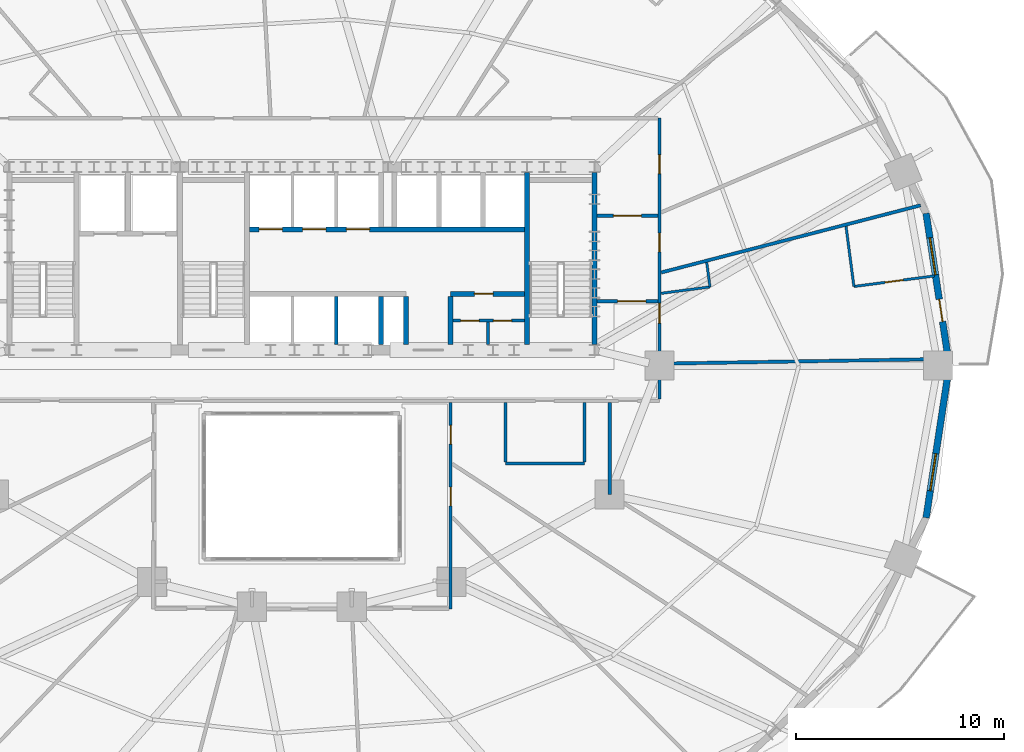
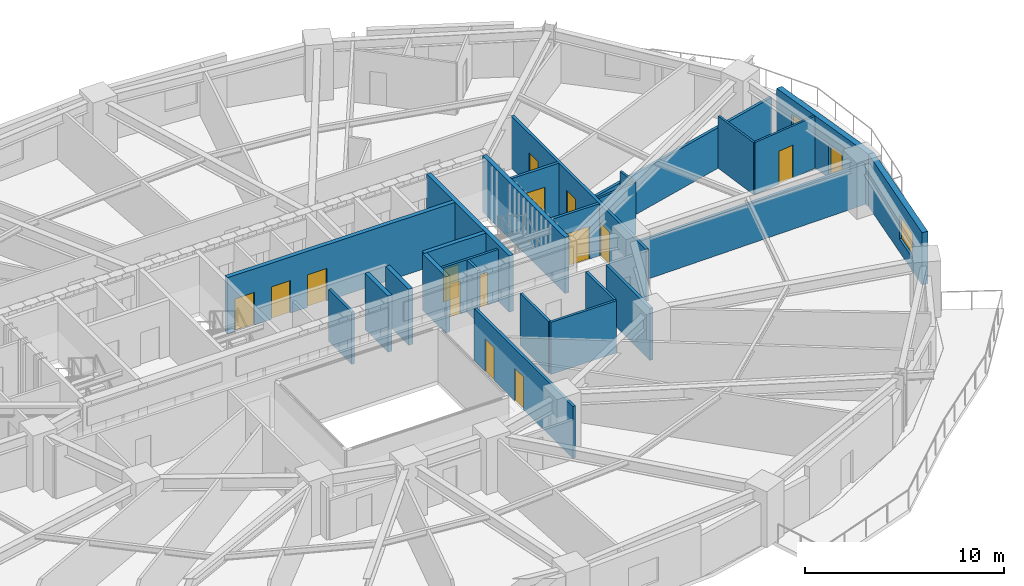
# One storey, part 11 of 17: 26 walls, 15 doors, 2 windows, 17 openings.
"""IFC4 building model written with IfcOpenShell, lengths in metres."""

import ifcopenshell
import ifcopenshell.guid

model = None  # the IFC model being written
_history = None  # IfcOwnerHistory: only IFC2X3 demands one
_inside = {}  # id of a spatial element -> (the spatial element, [elements in it])
_under = {}  # id of a project, library or spatial element -> (it, [spatial elements below it])
_declared = {}  # id of a project -> (the project, [libraries it declares])
_typed = {}  # id of a type object -> (the type object, [elements of that type])
_made_of = {}  # id of a material, layer set ... -> (it, [elements and type objects made of it])


def new_model(schema):
    """Start an empty IFC model of exactly this schema.

    Asked for "IFC4X3", IfcOpenShell would pick the latest addendum, in which some entities
    have other attributes; the version numbers below select the first issue.
    IFC2X3 requires an IfcOwnerHistory on every rooted entity: one is made here for all.
    """
    global model, _history
    if schema == "IFC4X3":
        model = ifcopenshell.file(schema_version=(4, 3, 0, 0))
    else:
        model = ifcopenshell.file(schema=schema)
    _inside.clear()
    _under.clear()
    _declared.clear()
    _typed.clear()
    _made_of.clear()
    _history = None
    if model.schema == "IFC2X3":
        org = make("IfcOrganization", Name="unknown")
        user = make(
            "IfcPersonAndOrganization",
            ThePerson=make("IfcPerson", FamilyName="unknown"),
            TheOrganization=org,
        )
        app = make(
            "IfcApplication",
            ApplicationDeveloper=org,
            Version="unknown",
            ApplicationFullName="unknown",
            ApplicationIdentifier="unknown",
        )
        _history = make(
            "IfcOwnerHistory",
            OwningUser=user,
            OwningApplication=app,
            ChangeAction="ADDED",
            CreationDate=0,
        )
    return model


def make(cls, **values):
    """One entity of the class cls with the attributes given. An attribute that is None is left unset."""
    return model.create_entity(
        cls, **{name: value for name, value in values.items() if value is not None}
    )


def rooted(cls, **values):
    """An entity with a GlobalId (a new one), such as an element, a storey or a relation."""
    return make(cls, GlobalId=ifcopenshell.guid.new(), OwnerHistory=_history, **values)


def si_unit(unit_type, name, prefix=None):
    """IfcSIUnit, for example si_unit("LENGTHUNIT", "METRE", prefix="MILLI")."""
    return make("IfcSIUnit", UnitType=unit_type, Prefix=prefix, Name=name)


def assignment(units):
    """IfcUnitAssignment: the units of a project."""
    return None if units is None else make("IfcUnitAssignment", Units=units)


def point(xyz):
    """IfcCartesianPoint."""
    return None if xyz is None else make("IfcCartesianPoint", Coordinates=xyz)


def direction(xyz):
    """IfcDirection."""
    return None if xyz is None else make("IfcDirection", DirectionRatios=xyz)


def frame(location, z_axis=None, x_axis=None):
    """IfcAxis2Placement3D, a coordinate frame: its origin and axes. An axis left out is left unset."""
    return make(
        "IfcAxis2Placement3D",
        Location=point(location),
        Axis=direction(z_axis),
        RefDirection=direction(x_axis),
    )


def frame_2d(location, x_axis=None):
    """IfcAxis2Placement2D, a coordinate frame in the plane: its origin and x axis."""
    return make(
        "IfcAxis2Placement2D", Location=point(location), RefDirection=direction(x_axis)
    )


def origin():
    """The frame at (0, 0, 0) with its axes left unset."""
    return frame((0.0, 0.0, 0.0))


def place(relative_to, where):
    """IfcLocalPlacement: puts the frame where relative to a parent placement (None: the world)."""
    return make(
        "IfcLocalPlacement", PlacementRelTo=relative_to, RelativePlacement=where
    )


def context(
    kind, dimensions, precision=None, world=None, true_north=None, identifier=None
):
    """IfcGeometricRepresentationContext, for example the 3D "Model" context."""
    return make(
        "IfcGeometricRepresentationContext",
        ContextIdentifier=identifier,
        ContextType=kind,
        CoordinateSpaceDimension=dimensions,
        Precision=precision,
        WorldCoordinateSystem=world,
        TrueNorth=true_north,
    )


def subcontext(parent, identifier, kind, view, scale=None):
    """IfcGeometricRepresentationSubContext, for example "Body" below "Model"."""
    return make(
        "IfcGeometricRepresentationSubContext",
        ContextIdentifier=identifier,
        ContextType=kind,
        ParentContext=parent,
        TargetScale=scale,
        TargetView=view,
    )


def project(units=None, contexts=None):
    """IfcProject with its units and contexts."""
    return rooted(
        "IfcProject",
        Name="project",
        RepresentationContexts=contexts,
        UnitsInContext=assignment(units),
    )


def spatial(cls, under=None, at=None, **own):
    """A site, building, storey or space (cls), placed at a placement, below another one or the project."""
    s = rooted(cls, ObjectPlacement=at, **own)
    if under is not None:
        _under.setdefault(under.id(), (under, []))[1].append(s)
    return s


def profile(cls, at=None, kind="AREA", **sizes):
    """A parametric profile (cls). Its sizes go by their IFC names, for example OverallWidth=200.0."""
    return make(cls, ProfileType=kind, Position=at, **sizes)


def rectangle(**sizes):
    """IfcRectangleProfileDef."""
    return profile("IfcRectangleProfileDef", **sizes)


def extrude(swept, where, along, depth):
    """IfcExtrudedAreaSolid: the profile swept, set in the frame where, extruded along a direction by depth."""
    return make(
        "IfcExtrudedAreaSolid",
        SweptArea=swept,
        Position=where,
        ExtrudedDirection=direction(along),
        Depth=depth,
    )


def shape(context_of_items, identifier, shape_type, items):
    """IfcShapeRepresentation: the items that make up one representation, for example the "Body"."""
    return make(
        "IfcShapeRepresentation",
        ContextOfItems=context_of_items,
        RepresentationIdentifier=identifier,
        RepresentationType=shape_type,
        Items=items,
    )


def material(Name=None, Category=None):
    """IfcMaterial."""
    return make("IfcMaterial", Name=Name, Category=Category)


def layer(
    of_material, thickness, ventilated=None, Name=None, Category=None, Priority=None
):
    """IfcMaterialLayer: one layer of a wall or slab, of a material (None: an air gap)."""
    return make(
        "IfcMaterialLayer",
        Material=of_material,
        LayerThickness=thickness,
        IsVentilated=ventilated,
        Name=Name,
        Category=Category,
        Priority=Priority,
    )


def layer_set(layers, Name=None):
    """IfcMaterialLayerSet."""
    return make("IfcMaterialLayerSet", MaterialLayers=layers, LayerSetName=Name)


def made_of(thing, what):
    """Note that an element or type object is made of a material, layer set ...; save() writes the relation."""
    if what is not None:
        _made_of.setdefault(what.id(), (what, []))[1].append(thing)
    return thing


def type_object(cls, material=None, **own):
    """A type object (cls), such as IfcWallType, which elements share."""
    return made_of(rooted(cls, **own), material)


def element(
    cls,
    number,
    at=None,
    inside=None,
    cuts=None,
    type_object=None,
    material=None,
    context=None,
    identifier="Body",
    shape_type=None,
    held_by="IfcProductDefinitionShape",
    body=None,
    shapes=None,
    **own,
):
    """One element of the class cls, such as IfcWall. Its Tag is "e" and its number.

    at: its placement. inside: the storey or other place that contains it. cuts: it is an
    opening in that element (IfcRelVoidsElement). A single representation is given by context,
    identifier, shape_type and body (its items); several are given by shapes. held_by: the class
    of the entity that holds the representations. save() writes the other relations.
    """
    e = rooted(cls, Tag="e%d" % number, ObjectPlacement=at, **own)
    if body is not None:
        shapes = [shape(context, identifier, shape_type, body)]
    if shapes is not None:
        e.Representation = make(held_by, Representations=shapes)
    if inside is not None:
        _inside.setdefault(inside.id(), (inside, []))[1].append(e)
    if cuts is not None:
        rooted(
            "IfcRelVoidsElement", RelatingBuildingElement=cuts, RelatedOpeningElement=e
        )
    if type_object is not None:
        _typed.setdefault(type_object.id(), (type_object, []))[1].append(e)
    return made_of(e, material)


def fill(opening, filler):
    """IfcRelFillsElement: the door or window that sits in an opening."""
    return rooted(
        "IfcRelFillsElement",
        RelatingOpeningElement=opening,
        RelatedBuildingElement=filler,
    )


def aggregate(whole, parts):
    """IfcRelAggregates: a whole, such as a stair, and the parts it consists of."""
    return rooted("IfcRelAggregates", RelatingObject=whole, RelatedObjects=parts)


def save(model, path):
    """Write the relations noted so far, then the file.

    IfcRelAggregates (storeys below a building ...), IfcRelContainedInSpatialStructure (elements
    in a storey), IfcRelDefinesByType, IfcRelAssociatesMaterial and IfcRelDeclares: one each for
    every whole, place, type object, material and project.
    """
    for whole, parts in _under.values():
        aggregate(whole, parts)
    for where, things in _inside.values():
        rooted(
            "IfcRelContainedInSpatialStructure",
            RelatedElements=things,
            RelatingStructure=where,
        )
    for kind, things in _typed.values():
        rooted("IfcRelDefinesByType", RelatedObjects=things, RelatingType=kind)
    for what, things in _made_of.values():
        rooted("IfcRelAssociatesMaterial", RelatedObjects=things, RelatingMaterial=what)
    for by, libraries in _declared.values():
        rooted("IfcRelDeclares", RelatingContext=by, RelatedDefinitions=libraries)
    model.write(path)


model = new_model("IFC4")

# Units and contexts
model_context = context("Model", 3, precision=1e-05, world=origin(), true_north=direction((0.0, 1.0)))
body_context = subcontext(model_context, "Body", "Model", "MODEL_VIEW")
ifc_project = project(units=[si_unit("LENGTHUNIT", "METRE"), si_unit("AREAUNIT", "SQUARE_METRE"), si_unit("VOLUMEUNIT", "CUBIC_METRE"), si_unit("PLANEANGLEUNIT", "RADIAN"), si_unit("MASSUNIT", "GRAM", prefix="KILO")], contexts=[model_context])

# Site, building, storey
site_placement = place(None, origin())
site = spatial("IfcSite", under=ifc_project, at=site_placement, CompositionType="ELEMENT")
building_placement = place(site_placement, origin())
building = spatial("IfcBuilding", under=site, at=building_placement, Name="Haldorwick Loom Tower", CompositionType="ELEMENT")
storey_placement = place(building_placement, frame((0.0, 0.0, 37.800048828125)))
storey = spatial("IfcBuildingStorey", under=building, at=storey_placement, Name="L09", CompositionType="ELEMENT", Elevation=37.800048828125)

# Wall, openings, door, window
ifc_material_1 = material(Name="Pressed Clay Face Brick and Insulated Masonry Backup Assembly", Category="masonry")
ifc_layer_1 = layer(ifc_material_1, 0.320068359375, Name="Pressed Clay Face Brick and Insulated Masonry Backup Assembly", Category="masonry")
ifc_layer_set_1 = layer_set([ifc_layer_1], Name="Pressed Clay Face Brick and Insulated Masonry Backup Assembly")
wall_type_1 = type_object("IfcWallType", Name="ARC-WL-EXT320", PredefinedType="STANDARD", material=ifc_layer_set_1)
wall_1_placement = place(storey_placement, frame((67.135986328125, 26.0, 0.0), z_axis=(0.0, 0.0, 1.0), x_axis=(-0.150476322528, 0.988613613278, 0.0)))
wall_1 = element("IfcWall", 1, at=wall_1_placement, inside=storey, type_object=wall_type_1, Name="L09 Brick Pier and Spandrel Wall 1", PredefinedType="STANDARD", context=body_context, shape_type="SweptSolid", body=[
    extrude(rectangle(XDim=7.40478515625, YDim=0.320068359375, at=frame_2d((3.702392578125, 0.0))), origin(), (0.0, 0.0, 1.0), 3.2099609375),
])
opening_1_placement = place(wall_1_placement, frame((2.1416015625, 0.0, 0.0)))
opening_1 = element("IfcOpeningElement", 2, at=opening_1_placement, cuts=wall_1, Name="Opening D-BL11", PredefinedType="OPENING", context=body_context, shape_type="SweptSolid", body=[
    extrude(rectangle(XDim=1.080078125, YDim=2.0400390625, at=frame_2d((0.5400390625, 1.02001953125))), frame((0.0, 0.169921875, 0.0), z_axis=(0.0, -1.0, 0.0), x_axis=(1.0, 0.0, 0.0)), (0.0, 0.0, 1.0), 0.340087890625),
])
opening_2_placement = place(wall_1_placement, frame((4.424072265625, 0.0, 0.800048828125)))
opening_2 = element("IfcOpeningElement", 3, at=opening_2_placement, cuts=wall_1, Name="Opening W-01", PredefinedType="OPENING", context=body_context, shape_type="SweptSolid", body=[
    extrude(rectangle(XDim=1.800048828125, YDim=1.47998046875, at=frame_2d((0.89990234375, 0.739990234375))), frame((0.0, 0.169921875, 0.0), z_axis=(0.0, -1.0, 0.0), x_axis=(1.0, 0.0, 0.0)), (0.0, 0.0, 1.0), 0.340087890625),
])
ifc_material_2 = material(Name="Thermally Broken Anodized Aluminium Curtain Wall Framing", Category="aluminium")
door_type_1 = type_object("IfcDoorType", Name="ARC-DR-BAL110", OperationType="NOTDEFINED", PredefinedType="DOOR", material=ifc_material_2)
door_1_placement = place(opening_1_placement, origin())
door_1 = element("IfcDoor", 4, at=door_1_placement, inside=storey, type_object=door_type_1, Name="L09 Outdoor Terrace Door SLB-L09-BAL_ENE", OperationType="SINGLE_SWING_RIGHT", OverallHeight=2.0400390625, OverallWidth=1.080078125, PredefinedType="DOOR", context=body_context, shape_type="SweptSolid", body=[
    extrude(rectangle(XDim=1.080078125, YDim=2.0400390625, at=frame_2d((0.5400390625, 1.02001953125))), frame((0.0, 0.02490234375, 0.0), z_axis=(0.0, -1.0, 0.0), x_axis=(1.0, 0.0, 0.0)), (0.0, 0.0, 1.0), 0.050048828125),
])
fill(opening_1, door_1)
ifc_material_3 = material(Name="Triple-Glazed Low-E Argon Insulated Glazing Unit", Category="glass")
window_type = type_object("IfcWindowType", Name="ARC-WIN-W180", PartitioningType="SINGLE_PANEL", PredefinedType="WINDOW", material=ifc_material_3)
window_1_placement = place(opening_2_placement, origin())
window_1 = element("IfcWindow", 5, at=window_1_placement, inside=storey, type_object=window_type, Name="L09 Deep-Set Zone 7A Window 1", OverallHeight=1.47998046875, OverallWidth=1.800048828125, PartitioningType="SINGLE_PANEL", PredefinedType="WINDOW", context=body_context, shape_type="SweptSolid", body=[
    extrude(rectangle(XDim=1.800048828125, YDim=1.47998046875, at=frame_2d((0.89990234375, 0.739990234375))), frame((0.0, 0.030029296875, 0.0), z_axis=(0.0, -1.0, 0.0), x_axis=(1.0, 0.0, 0.0)), (0.0, 0.0, 1.0), 0.06005859375),
])
fill(opening_2, window_1)

# Wall, opening, window
wall_2_placement = place(storey_placement, frame((66.021728515625, 18.679443359375, 0.0), z_axis=(0.0, 0.0, 1.0), x_axis=(0.150476322528, 0.988613613278, 0.0)))
wall_2 = element("IfcWall", 6, at=wall_2_placement, inside=storey, type_object=wall_type_1, Name="L09 Brick Pier and Spandrel Wall 24", PredefinedType="STANDARD", context=body_context, shape_type="SweptSolid", body=[
    extrude(rectangle(XDim=7.40478515625, YDim=0.320068359375, at=frame_2d((3.702392578125, 0.0))), origin(), (0.0, 0.0, 1.0), 3.2099609375),
])
opening_3_placement = place(wall_2_placement, frame((1.321533203125, 0.0, 0.800048828125)))
opening_3 = element("IfcOpeningElement", 7, at=opening_3_placement, cuts=wall_2, Name="Opening W-01", PredefinedType="OPENING", context=body_context, shape_type="SweptSolid", body=[
    extrude(rectangle(XDim=1.800048828125, YDim=1.47998046875, at=frame_2d((0.89990234375, 0.739990234375))), frame((0.0, 0.169921875, 0.0), z_axis=(0.0, -1.0, 0.0), x_axis=(1.0, 0.0, 0.0)), (0.0, 0.0, 1.0), 0.340087890625),
])
window_2_placement = place(opening_3_placement, origin())
window_2 = element("IfcWindow", 8, at=window_2_placement, inside=storey, type_object=window_type, Name="L09 Deep-Set Zone 7A Window 24", OverallHeight=1.47998046875, OverallWidth=1.800048828125, PartitioningType="SINGLE_PANEL", PredefinedType="WINDOW", context=body_context, shape_type="SweptSolid", body=[
    extrude(rectangle(XDim=1.800048828125, YDim=1.47998046875, at=frame_2d((0.89990234375, 0.739990234375))), frame((0.0, 0.030029296875, 0.0), z_axis=(0.0, -1.0, 0.0), x_axis=(1.0, 0.0, 0.0)), (0.0, 0.0, 1.0), 0.06005859375),
])
fill(opening_3, window_2)

# Wall, openings, doors
ifc_material_4 = material(Name="Fire-Rated Type X Gypsum Stud Assembly EI 60")
ifc_layer_2 = layer(ifc_material_4, 0.159912109375, Name="Fire-Rated Type X Gypsum Stud Assembly EI 60")
ifc_layer_set_2 = layer_set([ifc_layer_2], Name="Fire-Rated Type X Gypsum Stud Assembly EI 60")
wall_type_2 = type_object("IfcWallType", Name="ARC-WL-FIRE160", PredefinedType="PARTITIONING", material=ifc_layer_set_2)
wall_3_placement = place(storey_placement, frame((53.199951171875, 24.383056640625, 0.0), z_axis=(0.0, 0.0, 1.0), x_axis=(0.0, 1.0, 0.0)))
wall_3 = element("IfcWall", 9, at=wall_3_placement, inside=storey, type_object=wall_type_2, Name="L09 Residential Fire Partition L09-CR-E0", PredefinedType="PARTITIONING", context=body_context, shape_type="SweptSolid", body=[
    extrude(rectangle(XDim=13.516845703125, YDim=0.159912109375, at=frame_2d((6.75830078125, 0.0))), origin(), (0.0, 0.0, 1.0), 3.195068359375),
])
opening_4_placement = place(wall_3_placement, frame((10.85107421875, 0.0, 0.0)))
opening_4 = element("IfcOpeningElement", 10, at=opening_4_placement, cuts=wall_3, Name="Opening D-FD60A", PredefinedType="OPENING", context=body_context, shape_type="SweptSolid", body=[
    extrude(rectangle(XDim=0.89990234375, YDim=2.0, at=frame_2d((0.449951171875, 1.0))), frame((0.0, 0.08984375, 0.0), z_axis=(0.0, -1.0, 0.0), x_axis=(1.0, 0.0, 0.0)), (0.0, 0.0, 1.0), 0.179931640625),
])
opening_5_placement = place(wall_3_placement, frame((3.661865234375, 0.0, 0.0)))
opening_5 = element("IfcOpeningElement", 11, at=opening_5_placement, cuts=wall_3, Name="Opening D-FL95", PredefinedType="OPENING", context=body_context, shape_type="SweptSolid", body=[
    extrude(rectangle(XDim=0.949951171875, YDim=2.0400390625, at=frame_2d((0.47509765625, 1.02001953125))), frame((0.0, 0.08984375, 0.0), z_axis=(0.0, -1.0, 0.0), x_axis=(1.0, 0.0, 0.0)), (0.0, 0.0, 1.0), 0.179931640625),
])
opening_6_placement = place(wall_3_placement, frame((7.083984375, 0.0, 0.0)))
opening_6 = element("IfcOpeningElement", 12, at=opening_6_placement, cuts=wall_3, Name="Opening D-FD60A", PredefinedType="OPENING", context=body_context, shape_type="SweptSolid", body=[
    extrude(rectangle(XDim=0.89990234375, YDim=2.0, at=frame_2d((0.449951171875, 1.0))), frame((0.0, 0.08984375, 0.0), z_axis=(0.0, -1.0, 0.0), x_axis=(1.0, 0.0, 0.0)), (0.0, 0.0, 1.0), 0.179931640625),
])
ifc_material_5 = material(Name="Hollow Steel Fire Door Assembly", Category="steel")
door_type_2 = type_object("IfcDoorType", Name="ARC-DR-FD60-90", OperationType="NOTDEFINED", PredefinedType="DOOR", material=ifc_material_5)
door_2_placement = place(opening_4_placement, origin())
door_2 = element("IfcDoor", 13, at=door_2_placement, inside=storey, type_object=door_type_2, Name="L09 L09 North Residential Corridor to Shared Resident Dining Hall 10 Doo", OperationType="SINGLE_SWING_RIGHT", OverallHeight=2.0, OverallWidth=0.89990234375, PredefinedType="DOOR", context=body_context, shape_type="SweptSolid", body=[
    extrude(rectangle(XDim=0.89990234375, YDim=2.0, at=frame_2d((0.449951171875, 1.0))), frame((0.0, 0.02490234375, 0.0), z_axis=(0.0, -1.0, 0.0), x_axis=(1.0, 0.0, 0.0)), (0.0, 0.0, 1.0), 0.050048828125),
])
fill(opening_4, door_2)
door_3_placement = place(opening_6_placement, origin())
door_3 = element("IfcDoor", 14, at=door_3_placement, inside=storey, type_object=door_type_2, Name="L09 L09 East Residential Corridor to Shared Resident Dining Hall 9 Door", OperationType="SINGLE_SWING_LEFT", OverallHeight=2.0, OverallWidth=0.89990234375, PredefinedType="DOOR", context=body_context, shape_type="SweptSolid", body=[
    extrude(rectangle(XDim=0.89990234375, YDim=2.0, at=frame_2d((0.449951171875, 1.0))), frame((0.0, 0.02490234375, 0.0), z_axis=(0.0, -1.0, 0.0), x_axis=(1.0, 0.0, 0.0)), (0.0, 0.0, 1.0), 0.050048828125),
])
fill(opening_6, door_3)
ifc_material_6 = material(Name="Solid Core Birch Architectural Door")
door_type_3 = type_object("IfcDoorType", Name="ARC-DR-FLAT95", OperationType="NOTDEFINED", PredefinedType="DOOR", material=ifc_material_6)
door_4_placement = place(opening_5_placement, origin())
door_4 = element("IfcDoor", 15, at=door_4_placement, inside=storey, type_object=door_type_3, Name="L09 L09 Central Residential Corridor to Unit 09H Kitchen and Studio Livi", OperationType="SINGLE_SWING_LEFT", OverallHeight=2.0400390625, OverallWidth=0.949951171875, PredefinedType="DOOR", context=body_context, shape_type="SweptSolid", body=[
    extrude(rectangle(XDim=0.949951171875, YDim=2.0400390625, at=frame_2d((0.47509765625, 1.02001953125))), frame((0.0, 0.02490234375, 0.0), z_axis=(0.0, -1.0, 0.0), x_axis=(1.0, 0.0, 0.0)), (0.0, 0.0, 1.0), 0.050048828125),
])
fill(opening_5, door_4)

# Wall, opening, door
wall_4_placement = place(storey_placement, frame((50.193115234375, 29.10009765625, 0.0), z_axis=(0.0, 0.0, 1.0), x_axis=(1.0, 0.0, 0.0)))
wall_4 = element("IfcWall", 16, at=wall_4_placement, inside=storey, type_object=wall_type_2, Name="L09 Residential Fire Partition L09-CR-ESJ", PredefinedType="PARTITIONING", context=body_context, shape_type="SweptSolid", body=[
    extrude(rectangle(XDim=2.923828125, YDim=0.159912109375, at=frame_2d((1.4619140625, 0.0))), origin(), (0.0, 0.0, 1.0), 3.195068359375),
])
opening_7_placement = place(wall_4_placement, frame((0.99560546875, 0.0, 0.0)))
opening_7 = element("IfcOpeningElement", 17, at=opening_7_placement, cuts=wall_4, Name="Opening D-CR15", PredefinedType="OPENING", context=body_context, shape_type="SweptSolid", body=[
    extrude(rectangle(XDim=1.35009765625, YDim=2.0, at=frame_2d((0.675048828125, 1.0))), frame((0.0, 0.08984375, 0.0), z_axis=(0.0, -1.0, 0.0), x_axis=(1.0, 0.0, 0.0)), (0.0, 0.0, 1.0), 0.179931640625),
])
ifc_material_7 = material(Name="Thermally Broken Anodized Aluminium and Tempered Glass", Category="aluminium")
door_type_4 = type_object("IfcDoorType", Name="ARC-DR-COR150", OperationType="NOTDEFINED", PredefinedType="DOOR", material=ifc_material_7)
door_5_placement = place(opening_7_placement, origin())
door_5 = element("IfcDoor", 18, at=door_5_placement, inside=storey, type_object=door_type_4, Name="L09 L09 East Residential Corridor to L09 Central Residential Corridor Do", OperationType="DOUBLE_DOOR_SINGLE_SWING", OverallHeight=2.0, OverallWidth=1.35009765625, PredefinedType="DOOR", context=body_context, shape_type="SweptSolid", body=[
    extrude(rectangle(XDim=1.35009765625, YDim=2.0, at=frame_2d((0.675048828125, 1.0))), frame((0.0, 0.02490234375, 0.0), z_axis=(0.0, -1.0, 0.0), x_axis=(1.0, 0.0, 0.0)), (0.0, 0.0, 1.0), 0.050048828125),
])
fill(opening_7, door_5)

wall_5_placement = place(storey_placement, frame((50.193115234375, 33.199951171875, 0.0), z_axis=(0.0, 0.0, 1.0), x_axis=(1.0, 0.0, 0.0)))
wall_5 = element("IfcWall", 19, at=wall_5_placement, inside=storey, type_object=wall_type_2, Name="L09 Residential Fire Partition L09-CR-ENJ", PredefinedType="PARTITIONING", context=body_context, shape_type="SweptSolid", body=[
    extrude(rectangle(XDim=2.923828125, YDim=0.159912109375, at=frame_2d((1.4619140625, 0.0))), origin(), (0.0, 0.0, 1.0), 3.195068359375),
])
opening_8_placement = place(wall_5_placement, frame((0.787109375, 0.0, 0.0)))
opening_8 = element("IfcOpeningElement", 20, at=opening_8_placement, cuts=wall_5, Name="Opening D-CR15", PredefinedType="OPENING", context=body_context, shape_type="SweptSolid", body=[
    extrude(rectangle(XDim=1.35009765625, YDim=2.0, at=frame_2d((0.675048828125, 1.0))), frame((0.0, 0.08984375, 0.0), z_axis=(0.0, -1.0, 0.0), x_axis=(1.0, 0.0, 0.0)), (0.0, 0.0, 1.0), 0.179931640625),
])
door_6_placement = place(opening_8_placement, origin())
door_6 = element("IfcDoor", 21, at=door_6_placement, inside=storey, type_object=door_type_4, Name="L09 L09 North Residential Corridor to L09 East Residential Corridor Door", OperationType="DOUBLE_DOOR_SINGLE_SWING", OverallHeight=2.0, OverallWidth=1.35009765625, PredefinedType="DOOR", context=body_context, shape_type="SweptSolid", body=[
    extrude(rectangle(XDim=1.35009765625, YDim=2.0, at=frame_2d((0.675048828125, 1.0))), frame((0.0, 0.02490234375, 0.0), z_axis=(0.0, -1.0, 0.0), x_axis=(1.0, 0.0, 0.0)), (0.0, 0.0, 1.0), 0.050048828125),
])
fill(opening_8, door_6)

# Wall, openings, doors
wall_6_placement = place(storey_placement, frame((43.14990234375, 14.300048828125, 0.0), z_axis=(0.0, 0.0, 1.0), x_axis=(0.0, 1.0, 0.0)))
wall_6 = element("IfcWall", 22, at=wall_6_placement, inside=storey, type_object=wall_type_2, Name="L09 Residential Fire Partition L09-CR-AE", PredefinedType="PARTITIONING", context=body_context, shape_type="SweptSolid", body=[
    extrude(rectangle(XDim=9.9169921875, YDim=0.159912109375, at=frame_2d((4.95849609375, 0.0))), origin(), (0.0, 0.0, 1.0), 3.195068359375),
])
opening_9_placement = place(wall_6_placement, frame((7.92431640625, 0.0, 0.0)))
opening_9 = element("IfcOpeningElement", 23, at=opening_9_placement, cuts=wall_6, Name="Opening D-FD60A", PredefinedType="OPENING", context=body_context, shape_type="SweptSolid", body=[
    extrude(rectangle(XDim=0.89990234375, YDim=2.0, at=frame_2d((0.449951171875, 1.0))), frame((0.0, 0.08984375, 0.0), z_axis=(0.0, -1.0, 0.0), x_axis=(1.0, 0.0, 0.0)), (0.0, 0.0, 1.0), 0.179931640625),
])
opening_10_placement = place(wall_6_placement, frame((4.94921875, 0.0, 0.0)))
opening_10 = element("IfcOpeningElement", 24, at=opening_10_placement, cuts=wall_6, Name="Opening D-FD60A", PredefinedType="OPENING", context=body_context, shape_type="SweptSolid", body=[
    extrude(rectangle(XDim=0.89990234375, YDim=2.0, at=frame_2d((0.449951171875, 1.0))), frame((0.0, 0.08984375, 0.0), z_axis=(0.0, -1.0, 0.0), x_axis=(1.0, 0.0, 0.0)), (0.0, 0.0, 1.0), 0.179931640625),
])
door_7_placement = place(opening_9_placement, origin())
door_7 = element("IfcDoor", 25, at=door_7_placement, inside=storey, type_object=door_type_2, Name="L09 L09 South Atrium Corridor to Shared Resident Dining Hall 4 Door", OperationType="SINGLE_SWING_RIGHT", OverallHeight=2.0, OverallWidth=0.89990234375, PredefinedType="DOOR", context=body_context, shape_type="SweptSolid", body=[
    extrude(rectangle(XDim=0.89990234375, YDim=2.0, at=frame_2d((0.449951171875, 1.0))), frame((0.0, 0.02490234375, 0.0), z_axis=(0.0, -1.0, 0.0), x_axis=(1.0, 0.0, 0.0)), (0.0, 0.0, 1.0), 0.050048828125),
])
fill(opening_9, door_7)
door_8_placement = place(opening_10_placement, origin())
door_8 = element("IfcDoor", 26, at=door_8_placement, inside=storey, type_object=door_type_2, Name="L09 L09 South Atrium Corridor to Community Music Hall 2 Door", OperationType="SINGLE_SWING_RIGHT", OverallHeight=2.0, OverallWidth=0.89990234375, PredefinedType="DOOR", context=body_context, shape_type="SweptSolid", body=[
    extrude(rectangle(XDim=0.89990234375, YDim=2.0, at=frame_2d((0.449951171875, 1.0))), frame((0.0, 0.02490234375, 0.0), z_axis=(0.0, -1.0, 0.0), x_axis=(1.0, 0.0, 0.0)), (0.0, 0.0, 1.0), 0.050048828125),
])
fill(opening_10, door_8)

# Walls
wall_7_placement = place(storey_placement, frame((50.800048828125, 24.217041015625, 0.0), z_axis=(0.0, 0.0, 1.0), x_axis=(0.0, -1.0, 0.0)))
element("IfcWall", 27, at=wall_7_placement, inside=storey, type_object=wall_type_2, Name="L09 Residential Fire Partition L09-ICA-01", PredefinedType="PARTITIONING", context=body_context, shape_type="SweptSolid", body=[
    extrude(rectangle(XDim=4.4169921875, YDim=0.159912109375, at=frame_2d((2.20849609375, 0.0))), origin(), (0.0, 0.0, 1.0), 3.195068359375),
])
wall_8_placement = place(storey_placement, frame((53.282958984375, 30.477294921875, 0.0), z_axis=(0.0, 0.0, 1.0), x_axis=(0.968045992865, 0.250772717212, 0.0)))
element("IfcWall", 28, at=wall_8_placement, inside=storey, type_object=wall_type_2, Name="L09 Suite Split Wall", PredefinedType="PARTITIONING", context=body_context, shape_type="SweptSolid", body=[
    extrude(rectangle(XDim=12.881103515625, YDim=0.159912109375, at=frame_2d((6.4404296875, 0.0))), origin(), (0.0, 0.0, 1.0), 2.489990234375),
])
wall_9_placement = place(storey_placement, frame((53.282958984375, 26.09228515625, 0.0), z_axis=(0.0, 0.0, 1.0), x_axis=(0.999864932798, 0.016435210983, 0.0)))
element("IfcWall", 29, at=wall_9_placement, inside=storey, type_object=wall_type_2, Name="L09 Suite Split Wall", PredefinedType="PARTITIONING", context=body_context, shape_type="SweptSolid", body=[
    extrude(rectangle(XDim=13.74072265625, YDim=0.159912109375, at=frame_2d((6.870361328125, 0.0))), origin(), (0.0, 0.0, 1.0), 2.489990234375),
])
ifc_material_8 = material(Name="Acoustic Gypsum Stud Assembly STC 55")
ifc_layer_3 = layer(ifc_material_8, 0.1201171875, Name="Acoustic Gypsum Stud Assembly STC 55")
ifc_layer_set_3 = layer_set([ifc_layer_3], Name="Acoustic Gypsum Stud Assembly STC 55")
wall_type_3 = type_object("IfcWallType", Name="ARC-WL-PART120", PredefinedType="PARTITIONING", material=ifc_layer_set_3)
wall_10_placement = place(storey_placement, frame((55.625732421875, 29.782470703125, 0.0), z_axis=(0.0, 0.0, 1.0), x_axis=(-0.12988475407, 0.991529097233, 0.0)))
element("IfcWall", 30, at=wall_10_placement, inside=storey, type_object=wall_type_3, Name="L09 Unit 09H Interior Partition", PredefinedType="PARTITIONING", context=body_context, shape_type="SweptSolid", body=[
    extrude(rectangle(XDim=1.18603515625, YDim=0.1201171875, at=frame_2d((0.593017578125, 0.0))), origin(), (0.0, 0.0, 1.0), 3.195068359375),
])
wall_11_placement = place(storey_placement, frame((53.282958984375, 29.475341796875, 0.0), z_axis=(0.0, 0.0, 1.0), x_axis=(0.991516081056, 0.129984079822, 0.0)))
element("IfcWall", 31, at=wall_11_placement, inside=storey, type_object=wall_type_3, Name="L09 Unit 09H Interior Partition", PredefinedType="PARTITIONING", context=body_context, shape_type="SweptSolid", body=[
    extrude(rectangle(XDim=2.36279296875, YDim=0.1201171875, at=frame_2d((1.181396484375, 0.0))), origin(), (0.0, 0.0, 1.0), 3.195068359375),
])
wall_12_placement = place(storey_placement, frame((62.54833984375, 29.8037109375, 0.0), z_axis=(0.0, 0.0, 1.0), x_axis=(-0.129919288039, 0.991524572865, 0.0)))
element("IfcWall", 32, at=wall_12_placement, inside=storey, type_object=wall_type_3, Name="L09 Unit 09H Interior Partition", PredefinedType="PARTITIONING", context=body_context, shape_type="SweptSolid", body=[
    extrude(rectangle(XDim=2.91455078125, YDim=0.1201171875, at=frame_2d((1.457275390625, 0.0))), origin(), (0.0, 0.0, 1.0), 3.195068359375),
])

# Wall, opening, door
wall_13_placement = place(storey_placement, frame((62.54833984375, 29.8037109375, 0.0), z_axis=(0.0, 0.0, 1.0), x_axis=(0.991523421212, 0.129928076982, 0.0)))
wall_13 = element("IfcWall", 33, at=wall_13_placement, inside=storey, type_object=wall_type_3, Name="L09 Unit 09H Interior Partition", PredefinedType="PARTITIONING", context=body_context, shape_type="SweptSolid", body=[
    extrude(rectangle(XDim=3.89892578125, YDim=0.1201171875, at=frame_2d((1.949462890625, 0.0))), origin(), (0.0, 0.0, 1.0), 3.195068359375),
])
opening_11_placement = place(wall_13_placement, frame((1.509521484375, 0.0, 0.0)))
opening_11 = element("IfcOpeningElement", 34, at=opening_11_placement, cuts=wall_13, Name="Opening D-BT88", PredefinedType="OPENING", context=body_context, shape_type="SweptSolid", body=[
    extrude(rectangle(XDim=0.8798828125, YDim=2.02001953125, at=frame_2d((0.43994140625, 1.010009765625))), frame((0.0, 0.070068359375, 0.0), z_axis=(0.0, -1.0, 0.0), x_axis=(1.0, 0.0, 0.0)), (0.0, 0.0, 1.0), 0.14013671875),
])
door_type_5 = type_object("IfcDoorType", Name="ARC-DR-BATH88", OperationType="NOTDEFINED", PredefinedType="DOOR", material=ifc_material_6)
door_9_placement = place(opening_11_placement, origin())
door_9 = element("IfcDoor", 35, at=door_9_placement, inside=storey, type_object=door_type_5, Name="L09 Unit 09H Bathroom to Unit 09H Kitchen and Studio Living Room Door", OperationType="SINGLE_SWING_LEFT", OverallHeight=2.02001953125, OverallWidth=0.8798828125, PredefinedType="DOOR", context=body_context, shape_type="SweptSolid", body=[
    extrude(rectangle(XDim=0.8798828125, YDim=2.02001953125, at=frame_2d((0.43994140625, 1.010009765625))), frame((0.0, 0.02490234375, 0.0), z_axis=(0.0, -1.0, 0.0), x_axis=(1.0, 0.0, 0.0)), (0.0, 0.0, 1.0), 0.050048828125),
])
fill(opening_11, door_9)

# Wall, openings, doors
ifc_layer_4 = layer(ifc_material_4, 0.139892578125, Name="Fire-Rated Type X Gypsum Stud Assembly EI 60")
ifc_layer_set_4 = layer_set([ifc_layer_4], Name="Fire-Rated Type X Gypsum Stud Assembly EI 60")
wall_type_4 = type_object("IfcWallType", Name="ARC-WL-PART140", PredefinedType="PARTITIONING", material=ifc_layer_set_4)
wall_14_placement = place(storey_placement, frame((43.27294921875, 28.159912109375, 0.0), z_axis=(0.0, 0.0, 1.0), x_axis=(1.0, 0.0, 0.0)))
wall_14 = element("IfcWall", 36, at=wall_14_placement, inside=storey, type_object=wall_type_4, Name="L09 Telecom Partition", PredefinedType="PARTITIONING", context=body_context, shape_type="SweptSolid", body=[
    extrude(rectangle(XDim=3.43408203125, YDim=0.139892578125, at=frame_2d((1.717041015625, 0.0))), origin(), (0.0, 0.0, 1.0), 3.195068359375),
])
opening_12_placement = place(wall_14_placement, frame((0.366943359375, 0.0, 0.0)))
opening_12 = element("IfcOpeningElement", 37, at=opening_12_placement, cuts=wall_14, Name="Opening D-BT88", PredefinedType="OPENING", context=body_context, shape_type="SweptSolid", body=[
    extrude(rectangle(XDim=0.8798828125, YDim=2.02001953125, at=frame_2d((0.43994140625, 1.010009765625))), frame((0.0, 0.079833984375, 0.0), z_axis=(0.0, -1.0, 0.0), x_axis=(1.0, 0.0, 0.0)), (0.0, 0.0, 1.0), 0.159912109375),
])
opening_13_placement = place(wall_14_placement, frame((1.93701171875, 0.0, 0.0)))
opening_13 = element("IfcOpeningElement", 38, at=opening_13_placement, cuts=wall_14, Name="Opening D-BT88", PredefinedType="OPENING", context=body_context, shape_type="SweptSolid", body=[
    extrude(rectangle(XDim=0.8798828125, YDim=2.02001953125, at=frame_2d((0.43994140625, 1.010009765625))), frame((0.0, 0.079833984375, 0.0), z_axis=(0.0, -1.0, 0.0), x_axis=(1.0, 0.0, 0.0)), (0.0, 0.0, 1.0), 0.159912109375),
])
door_10_placement = place(opening_12_placement, origin())
door_10 = element("IfcDoor", 39, at=door_10_placement, inside=storey, type_object=door_type_5, Name="L09 Telecom Room Door", OperationType="SINGLE_SWING_LEFT", OverallHeight=2.02001953125, OverallWidth=0.8798828125, PredefinedType="DOOR", context=body_context, shape_type="SweptSolid", body=[
    extrude(rectangle(XDim=0.8798828125, YDim=2.02001953125, at=frame_2d((0.43994140625, 1.010009765625))), frame((0.0, 0.02490234375, 0.0), z_axis=(0.0, -1.0, 0.0), x_axis=(1.0, 0.0, 0.0)), (0.0, 0.0, 1.0), 0.050048828125),
])
fill(opening_12, door_10)
door_11_placement = place(opening_13_placement, origin())
door_11 = element("IfcDoor", 40, at=door_11_placement, inside=storey, type_object=door_type_5, Name="L09 Metering Closet Door", OperationType="SINGLE_SWING_RIGHT", OverallHeight=2.02001953125, OverallWidth=0.8798828125, PredefinedType="DOOR", context=body_context, shape_type="SweptSolid", body=[
    extrude(rectangle(XDim=0.8798828125, YDim=2.02001953125, at=frame_2d((0.43994140625, 1.010009765625))), frame((0.0, 0.02490234375, 0.0), z_axis=(0.0, -1.0, 0.0), x_axis=(1.0, 0.0, 0.0)), (0.0, 0.0, 1.0), 0.050048828125),
])
fill(opening_13, door_11)

# Walls
wall_15_placement = place(storey_placement, frame((44.949951171875, 27.0029296875, 0.0), z_axis=(0.0, 0.0, 1.0), x_axis=(0.0, 1.0, 0.0)))
element("IfcWall", 41, at=wall_15_placement, inside=storey, type_object=wall_type_4, Name="L09 Metering Sub-Partition", PredefinedType="PARTITIONING", context=body_context, shape_type="SweptSolid", body=[
    extrude(rectangle(XDim=1.083984375, YDim=0.139892578125, at=frame_2d((0.5419921875, 0.0))), origin(), (0.0, 0.0, 1.0), 3.195068359375),
])
wall_16_placement = place(storey_placement, frame((45.800048828125, 21.300048828125, 0.0), z_axis=(0.0, 0.0, 1.0), x_axis=(1.0, 0.0, 0.0)))
element("IfcWall", 42, at=wall_16_placement, inside=storey, type_object=wall_type_4, Name="L09 Residential Fire Partition L09-CWC-S", PredefinedType="PARTITIONING", context=body_context, shape_type="SweptSolid", body=[
    extrude(rectangle(XDim=3.800048828125, YDim=0.139892578125, at=frame_2d((1.89990234375, 0.0))), origin(), (0.0, 0.0, 1.0), 3.195068359375),
])
for number, where, z_axis, x_axis, name in (
    (43, (45.800048828125, 21.373046875, 0.0), (0.0, 0.0, 1.0), (0.0, 1.0, 0.0), "L09 Residential Fire Partition L09-CWC-W"),
    (44, (49.60009765625, 21.373046875, 0.0), (0.0, 0.0, 1.0), (0.0, 1.0, 0.0), "L09 Residential Fire Partition L09-CWC-E"),
):
    element("IfcWall", number, at=place(storey_placement, frame(where, z_axis=z_axis, x_axis=x_axis)), inside=storey, type_object=wall_type_4, Name=name, PredefinedType="PARTITIONING", context=body_context, shape_type="SweptSolid", body=[
        extrude(rectangle(XDim=2.843994140625, YDim=0.139892578125, at=frame_2d((1.421875, 0.0))), origin(), (0.0, 0.0, 1.0), 3.195068359375),
    ])
ifc_material_9 = material(Name="Fire-Rated Type X Gypsum Stud Assembly EI 120")
ifc_layer_5 = layer(ifc_material_9, 0.1650390625, Name="Fire-Rated Type X Gypsum Stud Assembly EI 120")
ifc_layer_set_5 = layer_set([ifc_layer_5], Name="Fire-Rated Type X Gypsum Stud Assembly EI 120")
wall_type_5 = type_object("IfcWallType", Name="ARC-WL-SHAFT160", PredefinedType="MOVABLE", material=ifc_layer_set_5)
wall_17_placement = place(storey_placement, frame((37.64990234375, 27.0029296875, 0.0), z_axis=(0.0, 0.0, 1.0), x_axis=(0.0, 1.0, 0.0)))
element("IfcWall", 45, at=wall_17_placement, inside=storey, type_object=wall_type_5, Name="L09 Mid-Rise Hoistway Divider 2", PredefinedType="MOVABLE", context=body_context, shape_type="SweptSolid", body=[
    extrude(rectangle(XDim=2.323974609375, YDim=0.159912109375, at=frame_2d((1.162109375, 0.0))), origin(), (0.0, 0.0, 1.0), 3.195068359375),
])
ifc_material_10 = material(Name="Concrete C50 (50 MPa)", Category="concrete")
ifc_layer_6 = layer(ifc_material_10, 0.239990234375, Name="Concrete C50 (50 MPa)", Category="concrete")
ifc_layer_set_6 = layer_set([ifc_layer_6], Name="Concrete C50 (50 MPa)")
wall_type_6 = type_object("IfcWallType", Name="STR-WL-SHAFT240", PredefinedType="SHEAR", material=ifc_layer_set_6)
for number, where, z_axis, x_axis, name in (
    (46, (50.070068359375, 27.0029296875, 0.0), (0.0, 0.0, 1.0), (0.0, 1.0, 0.0), "L09 Core Shear Wall E"),
    (47, (46.830078125, 27.0029296875, 0.0), (0.0, 0.0, 1.0), (0.0, 1.0, 0.0), "L09 Core Shear Wall 4"),
):
    element("IfcWall", number, at=place(storey_placement, frame(where, z_axis=z_axis, x_axis=x_axis)), inside=storey, type_object=wall_type_6, Name=name, PredefinedType="SHEAR", context=body_context, shape_type="SweptSolid", body=[
        extrude(rectangle(XDim=8.294189453125, YDim=0.239990234375, at=frame_2d((4.14697265625, 0.0))), origin(), (0.0, 0.0, 1.0), 3.449951171875),
    ])

# Wall, openings, doors
wall_18_placement = place(storey_placement, frame((33.492919921875, 32.550048828125, 0.0), z_axis=(0.0, 0.0, 1.0), x_axis=(1.0, 0.0, 0.0)))
wall_18 = element("IfcWall", 48, at=wall_18_placement, inside=storey, type_object=wall_type_6, Name="L09 Core Shear Wall LN", PredefinedType="SHEAR", context=body_context, shape_type="SweptSolid", body=[
    extrude(rectangle(XDim=13.214111328125, YDim=0.239990234375, at=frame_2d((6.60693359375, 0.0))), origin(), (0.0, 0.0, 1.0), 3.449951171875),
])
opening_14_placement = place(wall_18_placement, frame((0.447021484375, 0.0, 0.0)))
opening_14 = element("IfcOpeningElement", 49, at=opening_14_placement, cuts=wall_18, Name="Opening LD-L1", PredefinedType="OPENING", context=body_context, shape_type="SweptSolid", body=[
    extrude(rectangle(XDim=1.1201171875, YDim=2.0, at=frame_2d((0.56005859375, 1.0))), frame((0.0, 0.1298828125, 0.0), z_axis=(0.0, -1.0, 0.0), x_axis=(1.0, 0.0, 0.0)), (0.0, 0.0, 1.0), 0.260009765625),
])
opening_15_placement = place(wall_18_placement, frame((2.547119140625, 0.0, 0.0)))
opening_15 = element("IfcOpeningElement", 50, at=opening_15_placement, cuts=wall_18, Name="Opening LD-L2", PredefinedType="OPENING", context=body_context, shape_type="SweptSolid", body=[
    extrude(rectangle(XDim=1.1201171875, YDim=2.0, at=frame_2d((0.56005859375, 1.0))), frame((0.0, 0.1298828125, 0.0), z_axis=(0.0, -1.0, 0.0), x_axis=(1.0, 0.0, 0.0)), (0.0, 0.0, 1.0), 0.260009765625),
])
opening_16_placement = place(wall_18_placement, frame((4.64697265625, 0.0, 0.0)))
opening_16 = element("IfcOpeningElement", 51, at=opening_16_placement, cuts=wall_18, Name="Opening LD-L3", PredefinedType="OPENING", context=body_context, shape_type="SweptSolid", body=[
    extrude(rectangle(XDim=1.1201171875, YDim=2.0, at=frame_2d((0.56005859375, 1.0))), frame((0.0, 0.1298828125, 0.0), z_axis=(0.0, -1.0, 0.0), x_axis=(1.0, 0.0, 0.0)), (0.0, 0.0, 1.0), 0.260009765625),
])
door_type_6 = type_object("IfcDoorType", Name="ARC-DR-LD-PAX", OperationType="NOTDEFINED", PredefinedType="USERDEFINED", material=ifc_material_5)
door_12_placement = place(opening_14_placement, origin())
door_12 = element("IfcDoor", 52, at=door_12_placement, inside=storey, type_object=door_type_6, Name="L09 Lift LF-L1 Sliding Landing Door", ObjectType="LANDING DOOR", OperationType="DOUBLE_DOOR_SLIDING", OverallHeight=2.0, OverallWidth=1.1201171875, PredefinedType="USERDEFINED", context=body_context, shape_type="SweptSolid", body=[
    extrude(rectangle(XDim=1.1201171875, YDim=2.0, at=frame_2d((0.56005859375, 1.0))), frame((0.0, 0.02490234375, 0.0), z_axis=(0.0, -1.0, 0.0), x_axis=(1.0, 0.0, 0.0)), (0.0, 0.0, 1.0), 0.050048828125),
])
fill(opening_14, door_12)
door_13_placement = place(opening_15_placement, origin())
door_13 = element("IfcDoor", 53, at=door_13_placement, inside=storey, type_object=door_type_6, Name="L09 Lift LF-L2 Sliding Landing Door", ObjectType="LANDING DOOR", OperationType="DOUBLE_DOOR_SLIDING", OverallHeight=2.0, OverallWidth=1.1201171875, PredefinedType="USERDEFINED", context=body_context, shape_type="SweptSolid", body=[
    extrude(rectangle(XDim=1.1201171875, YDim=2.0, at=frame_2d((0.56005859375, 1.0))), frame((0.0, 0.02490234375, 0.0), z_axis=(0.0, -1.0, 0.0), x_axis=(1.0, 0.0, 0.0)), (0.0, 0.0, 1.0), 0.050048828125),
])
fill(opening_15, door_13)
door_14_placement = place(opening_16_placement, origin())
door_14 = element("IfcDoor", 54, at=door_14_placement, inside=storey, type_object=door_type_6, Name="L09 Lift LF-L3 Sliding Landing Door", ObjectType="LANDING DOOR", OperationType="DOUBLE_DOOR_SLIDING", OverallHeight=2.0, OverallWidth=1.1201171875, PredefinedType="USERDEFINED", context=body_context, shape_type="SweptSolid", body=[
    extrude(rectangle(XDim=1.1201171875, YDim=2.0, at=frame_2d((0.56005859375, 1.0))), frame((0.0, 0.02490234375, 0.0), z_axis=(0.0, -1.0, 0.0), x_axis=(1.0, 0.0, 0.0)), (0.0, 0.0, 1.0), 0.050048828125),
])
fill(opening_16, door_14)

# Wall, opening, door
wall_19_placement = place(storey_placement, frame((43.14990234375, 29.449951171875, 0.0), z_axis=(0.0, 0.0, 1.0), x_axis=(1.0, 0.0, 0.0)))
wall_19 = element("IfcWall", 55, at=wall_19_placement, inside=storey, type_object=wall_type_6, Name="L09 Core Shear Wall LS2", PredefinedType="SHEAR", context=body_context, shape_type="SweptSolid", body=[
    extrude(rectangle(XDim=3.55712890625, YDim=0.239990234375, at=frame_2d((1.778564453125, 0.0))), origin(), (0.0, 0.0, 1.0), 3.449951171875),
])
opening_17_placement = place(wall_19_placement, frame((1.14990234375, 0.0, 0.0)))
opening_17 = element("IfcOpeningElement", 56, at=opening_17_placement, cuts=wall_19, Name="Opening D-FD60A", PredefinedType="OPENING", context=body_context, shape_type="SweptSolid", body=[
    extrude(rectangle(XDim=0.89990234375, YDim=2.0, at=frame_2d((0.449951171875, 1.0))), frame((0.0, 0.1298828125, 0.0), z_axis=(0.0, -1.0, 0.0), x_axis=(1.0, 0.0, 0.0)), (0.0, 0.0, 1.0), 0.260009765625),
])
door_15_placement = place(opening_17_placement, origin())
door_15 = element("IfcDoor", 57, at=door_15_placement, inside=storey, type_object=door_type_2, Name="L09 Janitor Closet Door", OperationType="SINGLE_SWING_LEFT", OverallHeight=2.0, OverallWidth=0.89990234375, PredefinedType="DOOR", context=body_context, shape_type="SweptSolid", body=[
    extrude(rectangle(XDim=0.89990234375, YDim=2.0, at=frame_2d((0.449951171875, 1.0))), frame((0.0, 0.02490234375, 0.0), z_axis=(0.0, -1.0, 0.0), x_axis=(1.0, 0.0, 0.0)), (0.0, 0.0, 1.0), 0.050048828125),
])
fill(opening_17, door_15)

# Walls
for number, where, z_axis, x_axis, name in (
    (58, (41.0, 27.0029296875, 0.0), (0.0, 0.0, 1.0), (0.0, 1.0, 0.0), "L09 Core Shear Wall THW"),
    (59, (43.14990234375, 27.0029296875, 0.0), (0.0, 0.0, 1.0), (0.0, 1.0, 0.0), "L09 Core Shear Wall THE"),
    (60, (39.800048828125, 27.0029296875, 0.0), (0.0, 0.0, 1.0), (0.0, 1.0, 0.0), "L09 Core Shear Wall MRW"),
):
    element("IfcWall", number, at=place(storey_placement, frame(where, z_axis=z_axis, x_axis=x_axis)), inside=storey, type_object=wall_type_6, Name=name, PredefinedType="SHEAR", context=body_context, shape_type="SweptSolid", body=[
        extrude(rectangle(XDim=2.323974609375, YDim=0.239990234375, at=frame_2d((1.162109375, 0.0))), origin(), (0.0, 0.0, 1.0), 3.449951171875),
    ])

save(model, "model.ifc")
